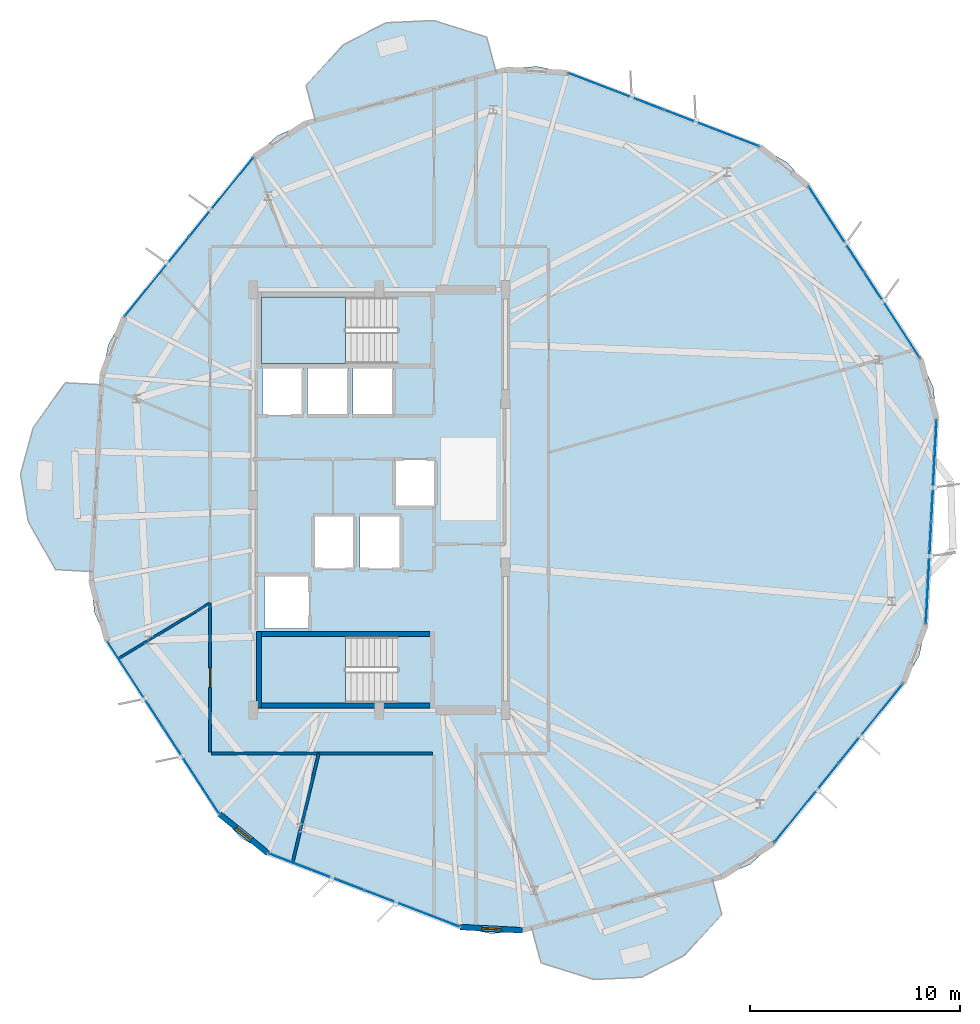
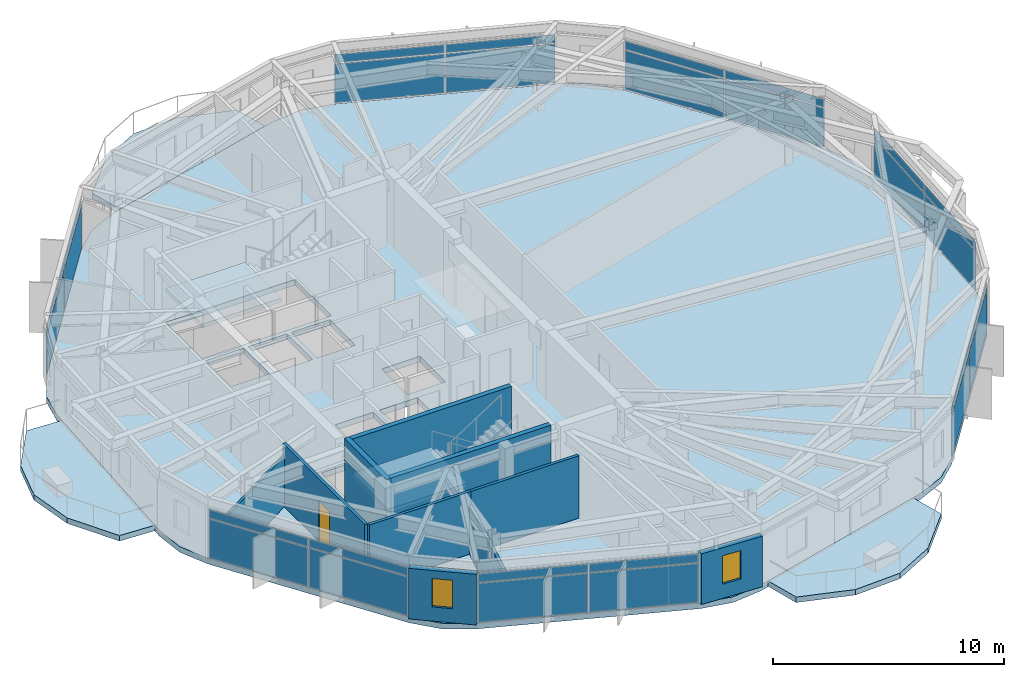
# One storey, part 23 of 29: 28 plates, 10 walls, 6 slabs, 2 windows, 1 door, 3 openings, 9 elements without a shape of their own.
"""IFC4 building model written with IfcOpenShell, lengths in metres."""

from ifc_helpers import new_model, si_unit, direction, frame, frame_2d, origin, origin_2d, place, context, subcontext, project, spatial, polyline, rectangle, outline, extrude, material, layer, layer_set, type_object, element, fill, aggregate, save


model = new_model("IFC4")

# Units and contexts
model_context = context("Model", 3, precision=1e-05, world=origin(), true_north=direction((0.0, 1.0)))
body_context = subcontext(model_context, "Body", "Model", "MODEL_VIEW")
ifc_project = project(units=[si_unit("LENGTHUNIT", "METRE"), si_unit("AREAUNIT", "SQUARE_METRE"), si_unit("VOLUMEUNIT", "CUBIC_METRE"), si_unit("PLANEANGLEUNIT", "RADIAN"), si_unit("MASSUNIT", "GRAM", prefix="KILO")], contexts=[model_context])

# Site, building, storey
site_placement = place(None, origin())
site = spatial("IfcSite", under=ifc_project, at=site_placement, CompositionType="ELEMENT")
building_placement = place(site_placement, origin())
building = spatial("IfcBuilding", under=site, at=building_placement, Name="Soratama Intermodal Tower", CompositionType="ELEMENT")
storey_placement = place(building_placement, frame((0.0, 0.0, 219.39990234375)))
storey = spatial("IfcBuildingStorey", under=building, at=storey_placement, Name="L55", CompositionType="ELEMENT", Elevation=219.39990234375)

# Curtain wall, plates
ifc_material_1 = material(Name="Double-glazed aluminium curtain wall", Category="aluminium")
ifc_layer_1 = layer(ifc_material_1, 0.159912109375)
ifc_layer_set_1 = layer_set([ifc_layer_1], Name="Double-glazed aluminium curtain wall")
curtain_wall_type = type_object("IfcCurtainWallType", Name="CW-SYS-5", PredefinedType="NOTDEFINED", material=ifc_layer_set_1)
curtain_wall_1_placement = place(storey_placement, origin())
curtain_wall_1 = element("IfcCurtainWall", 1, at=curtain_wall_1_placement, inside=storey, type_object=curtain_wall_type, Name="L55 Faceted Curtain Wall F01", PredefinedType="NOTDEFINED")
ifc_material_2 = material(Name="Low-E laminated double glazing", Category="glass")
ifc_layer_2 = layer(ifc_material_2, 0.02001953125)
ifc_layer_set_2 = layer_set([ifc_layer_2], Name="Low-E laminated double glazing")
plate_type = type_object("IfcPlateType", Name="PT-CWP-5", PredefinedType="CURTAIN_PANEL", material=ifc_layer_set_2)
plate_1_placement = place(storey_placement, frame((54.39599609375, 42.6845703125, 0.06005859375), z_axis=(0.0, 0.0, 1.0), x_axis=(-0.933583988978, 0.358358668826, 0.0)))
plate_1 = element("IfcPlate", 2, at=plate_1_placement, type_object=plate_type, Name="CW-5 panel 1.1", PredefinedType="CURTAIN_PANEL", context=body_context, shape_type="SweptSolid", body=[
    extrude(rectangle(XDim=4.808837890625, YDim=0.028076171875, at=origin_2d()), origin(), (0.0, 0.0, 1.0), 2.06005859375),
])
plate_2_placement = place(storey_placement, frame((54.39599609375, 42.6845703125, 2.18017578125), z_axis=(0.0, 0.0, 1.0), x_axis=(-0.933583988978, 0.358358668826, 0.0)))
plate_2 = element("IfcPlate", 3, at=plate_2_placement, type_object=plate_type, Name="CW-5 panel 1.2", PredefinedType="CURTAIN_PANEL", context=body_context, shape_type="SweptSolid", body=[
    extrude(rectangle(XDim=4.808837890625, YDim=0.028076171875, at=origin_2d()), origin(), (0.0, 0.0, 1.0), 0.43896484375),
])
plate_3_placement = place(storey_placement, frame((49.8505859375, 44.42919921875, 0.06005859375), z_axis=(0.0, 0.0, 1.0), x_axis=(-0.933583988978, 0.358358668826, 0.0)))
plate_3 = element("IfcPlate", 4, at=plate_3_placement, type_object=plate_type, Name="CW-5 panel 2.1", PredefinedType="CURTAIN_PANEL", context=body_context, shape_type="SweptSolid", body=[
    extrude(rectangle(XDim=4.808837890625, YDim=0.028076171875, at=origin_2d()), origin(), (0.0, 0.0, 1.0), 2.06005859375),
])
plate_4_placement = place(storey_placement, frame((49.8505859375, 44.42919921875, 2.18017578125), z_axis=(0.0, 0.0, 1.0), x_axis=(-0.933583988978, 0.358358668826, 0.0)))
plate_4 = element("IfcPlate", 5, at=plate_4_placement, type_object=plate_type, Name="CW-5 panel 2.2", PredefinedType="CURTAIN_PANEL", context=body_context, shape_type="SweptSolid", body=[
    extrude(rectangle(XDim=4.808837890625, YDim=0.028076171875, at=origin_2d()), origin(), (0.0, 0.0, 1.0), 0.43896484375),
])
aggregate(curtain_wall_1, [plate_1, plate_2, plate_3, plate_4])

curtain_wall_2_placement = place(storey_placement, origin())
curtain_wall_2 = element("IfcCurtainWall", 6, at=curtain_wall_2_placement, inside=storey, type_object=curtain_wall_type, Name="L55 Faceted Curtain Wall F03", PredefinedType="NOTDEFINED")
plate_5_placement = place(storey_placement, frame((31.084716796875, 39.40087890625, 0.06005859375), z_axis=(0.0, 0.0, 1.0), x_axis=(-0.629311849549, -0.777152878151, 0.0)))
plate_5 = element("IfcPlate", 7, at=plate_5_placement, type_object=plate_type, Name="CW-5 panel 1.1", PredefinedType="CURTAIN_PANEL", context=body_context, shape_type="SweptSolid", body=[
    extrude(rectangle(XDim=4.808837890625, YDim=0.028076171875, at=origin_2d()), origin(), (0.0, 0.0, 1.0), 2.06005859375),
])
plate_6_placement = place(storey_placement, frame((31.084716796875, 39.40087890625, 2.18017578125), z_axis=(0.0, 0.0, 1.0), x_axis=(-0.629311849549, -0.777152878151, 0.0)))
plate_6 = element("IfcPlate", 8, at=plate_6_placement, type_object=plate_type, Name="CW-5 panel 1.2", PredefinedType="CURTAIN_PANEL", context=body_context, shape_type="SweptSolid", body=[
    extrude(rectangle(XDim=4.808837890625, YDim=0.028076171875, at=origin_2d()), origin(), (0.0, 0.0, 1.0), 0.43896484375),
])
plate_7_placement = place(storey_placement, frame((28.0205078125, 35.6171875, 0.06005859375), z_axis=(0.0, 0.0, 1.0), x_axis=(-0.629311849549, -0.777152878151, 0.0)))
plate_7 = element("IfcPlate", 9, at=plate_7_placement, type_object=plate_type, Name="CW-5 panel 2.1", PredefinedType="CURTAIN_PANEL", context=body_context, shape_type="SweptSolid", body=[
    extrude(rectangle(XDim=4.808837890625, YDim=0.028076171875, at=origin_2d()), origin(), (0.0, 0.0, 1.0), 2.06005859375),
])
plate_8_placement = place(storey_placement, frame((28.0205078125, 35.6171875, 2.18017578125), z_axis=(0.0, 0.0, 1.0), x_axis=(-0.629311849549, -0.777152878151, 0.0)))
plate_8 = element("IfcPlate", 10, at=plate_8_placement, type_object=plate_type, Name="CW-5 panel 2.2", PredefinedType="CURTAIN_PANEL", context=body_context, shape_type="SweptSolid", body=[
    extrude(rectangle(XDim=4.808837890625, YDim=0.028076171875, at=origin_2d()), origin(), (0.0, 0.0, 1.0), 0.43896484375),
])
aggregate(curtain_wall_2, [plate_5, plate_6, plate_7, plate_8])

curtain_wall_3_placement = place(storey_placement, origin())
curtain_wall_3 = element("IfcCurtainWall", 11, at=curtain_wall_3_placement, inside=storey, type_object=curtain_wall_type, Name="L55 Faceted Curtain Wall F05", PredefinedType="NOTDEFINED")
plate_9_placement = place(storey_placement, frame((27.00390625, 16.2158203125, 0.06005859375), z_axis=(0.0, 0.0, 1.0), x_axis=(0.544640313342, -0.838669737789, 0.0)))
plate_9 = element("IfcPlate", 12, at=plate_9_placement, type_object=plate_type, Name="CW-5 panel 1.1", PredefinedType="CURTAIN_PANEL", context=body_context, shape_type="SweptSolid", body=[
    extrude(rectangle(XDim=4.808837890625, YDim=0.028076171875, at=origin_2d()), origin(), (0.0, 0.0, 1.0), 2.06005859375),
])
plate_10_placement = place(storey_placement, frame((27.00390625, 16.2158203125, 2.18017578125), z_axis=(0.0, 0.0, 1.0), x_axis=(0.544640313342, -0.838669737789, 0.0)))
plate_10 = element("IfcPlate", 13, at=plate_10_placement, type_object=plate_type, Name="CW-5 panel 1.2", PredefinedType="CURTAIN_PANEL", context=body_context, shape_type="SweptSolid", body=[
    extrude(rectangle(XDim=4.808837890625, YDim=0.028076171875, at=origin_2d()), origin(), (0.0, 0.0, 1.0), 0.43896484375),
])
plate_11_placement = place(storey_placement, frame((29.655517578125, 12.132568359375, 0.06005859375), z_axis=(0.0, 0.0, 1.0), x_axis=(0.544640313342, -0.838669737789, 0.0)))
plate_11 = element("IfcPlate", 14, at=plate_11_placement, type_object=plate_type, Name="CW-5 panel 2.1", PredefinedType="CURTAIN_PANEL", context=body_context, shape_type="SweptSolid", body=[
    extrude(rectangle(XDim=4.808837890625, YDim=0.028076171875, at=origin_2d()), origin(), (0.0, 0.0, 1.0), 2.06005859375),
])
plate_12_placement = place(storey_placement, frame((29.655517578125, 12.132568359375, 2.18017578125), z_axis=(0.0, 0.0, 1.0), x_axis=(0.544640313342, -0.838669737789, 0.0)))
plate_12 = element("IfcPlate", 15, at=plate_12_placement, type_object=plate_type, Name="CW-5 panel 2.2", PredefinedType="CURTAIN_PANEL", context=body_context, shape_type="SweptSolid", body=[
    extrude(rectangle(XDim=4.808837890625, YDim=0.028076171875, at=origin_2d()), origin(), (0.0, 0.0, 1.0), 0.43896484375),
])
aggregate(curtain_wall_3, [plate_9, plate_10, plate_11, plate_12])

curtain_wall_4_placement = place(storey_placement, origin())
curtain_wall_4 = element("IfcCurtainWall", 16, at=curtain_wall_4_placement, inside=storey, type_object=curtain_wall_type, Name="L55 Faceted Curtain Wall F06", PredefinedType="NOTDEFINED")
plate_13_placement = place(storey_placement, frame((35.60400390625, 7.3154296875, 0.06005859375), z_axis=(0.0, 0.0, 1.0), x_axis=(0.933583988978, -0.358358668826, 0.0)))
plate_13 = element("IfcPlate", 17, at=plate_13_placement, type_object=plate_type, Name="CW-5 panel 1.1", PredefinedType="CURTAIN_PANEL", context=body_context, shape_type="SweptSolid", body=[
    extrude(rectangle(XDim=4.808837890625, YDim=0.028076171875, at=origin_2d()), origin(), (0.0, 0.0, 1.0), 2.06005859375),
])
plate_14_placement = place(storey_placement, frame((35.60400390625, 7.3154296875, 2.18017578125), z_axis=(0.0, 0.0, 1.0), x_axis=(0.933583988978, -0.358358668826, 0.0)))
plate_14 = element("IfcPlate", 18, at=plate_14_placement, type_object=plate_type, Name="CW-5 panel 1.2", PredefinedType="CURTAIN_PANEL", context=body_context, shape_type="SweptSolid", body=[
    extrude(rectangle(XDim=4.808837890625, YDim=0.028076171875, at=origin_2d()), origin(), (0.0, 0.0, 1.0), 0.43896484375),
])
plate_15_placement = place(storey_placement, frame((40.1494140625, 5.57080078125, 0.06005859375), z_axis=(0.0, 0.0, 1.0), x_axis=(0.933583988978, -0.358358668826, 0.0)))
plate_15 = element("IfcPlate", 19, at=plate_15_placement, type_object=plate_type, Name="CW-5 panel 2.1", PredefinedType="CURTAIN_PANEL", context=body_context, shape_type="SweptSolid", body=[
    extrude(rectangle(XDim=4.808837890625, YDim=0.028076171875, at=origin_2d()), origin(), (0.0, 0.0, 1.0), 2.06005859375),
])
plate_16_placement = place(storey_placement, frame((40.1494140625, 5.57080078125, 2.18017578125), z_axis=(0.0, 0.0, 1.0), x_axis=(0.933583988978, -0.358358668826, 0.0)))
plate_16 = element("IfcPlate", 20, at=plate_16_placement, type_object=plate_type, Name="CW-5 panel 2.2", PredefinedType="CURTAIN_PANEL", context=body_context, shape_type="SweptSolid", body=[
    extrude(rectangle(XDim=4.808837890625, YDim=0.028076171875, at=origin_2d()), origin(), (0.0, 0.0, 1.0), 0.43896484375),
])
aggregate(curtain_wall_4, [plate_13, plate_14, plate_15, plate_16])

curtain_wall_5_placement = place(storey_placement, origin())
curtain_wall_5 = element("IfcCurtainWall", 21, at=curtain_wall_5_placement, inside=storey, type_object=curtain_wall_type, Name="L55 Faceted Curtain Wall F08", PredefinedType="NOTDEFINED")
plate_17_placement = place(storey_placement, frame((58.915283203125, 10.59912109375, 0.06005859375), z_axis=(0.0, 0.0, 1.0), x_axis=(0.629311849549, 0.777152878151, 0.0)))
plate_17 = element("IfcPlate", 22, at=plate_17_placement, type_object=plate_type, Name="CW-5 panel 1.1", PredefinedType="CURTAIN_PANEL", context=body_context, shape_type="SweptSolid", body=[
    extrude(rectangle(XDim=4.808837890625, YDim=0.028076171875, at=origin_2d()), origin(), (0.0, 0.0, 1.0), 2.06005859375),
])
plate_18_placement = place(storey_placement, frame((58.915283203125, 10.59912109375, 2.18017578125), z_axis=(0.0, 0.0, 1.0), x_axis=(0.629311849549, 0.777152878151, 0.0)))
plate_18 = element("IfcPlate", 23, at=plate_18_placement, type_object=plate_type, Name="CW-5 panel 1.2", PredefinedType="CURTAIN_PANEL", context=body_context, shape_type="SweptSolid", body=[
    extrude(rectangle(XDim=4.808837890625, YDim=0.028076171875, at=origin_2d()), origin(), (0.0, 0.0, 1.0), 0.43896484375),
])
plate_19_placement = place(storey_placement, frame((61.9794921875, 14.3828125, 0.06005859375), z_axis=(0.0, 0.0, 1.0), x_axis=(0.629311849549, 0.777152878151, 0.0)))
plate_19 = element("IfcPlate", 24, at=plate_19_placement, type_object=plate_type, Name="CW-5 panel 2.1", PredefinedType="CURTAIN_PANEL", context=body_context, shape_type="SweptSolid", body=[
    extrude(rectangle(XDim=4.808837890625, YDim=0.028076171875, at=origin_2d()), origin(), (0.0, 0.0, 1.0), 2.06005859375),
])
plate_20_placement = place(storey_placement, frame((61.9794921875, 14.3828125, 2.18017578125), z_axis=(0.0, 0.0, 1.0), x_axis=(0.629311849549, 0.777152878151, 0.0)))
plate_20 = element("IfcPlate", 25, at=plate_20_placement, type_object=plate_type, Name="CW-5 panel 2.2", PredefinedType="CURTAIN_PANEL", context=body_context, shape_type="SweptSolid", body=[
    extrude(rectangle(XDim=4.808837890625, YDim=0.028076171875, at=origin_2d()), origin(), (0.0, 0.0, 1.0), 0.43896484375),
])
aggregate(curtain_wall_5, [plate_17, plate_18, plate_19, plate_20])

curtain_wall_6_placement = place(storey_placement, origin())
curtain_wall_6 = element("IfcCurtainWall", 26, at=curtain_wall_6_placement, inside=storey, type_object=curtain_wall_type, Name="L55 Faceted Curtain Wall F09", PredefinedType="NOTDEFINED")
plate_21_placement = place(storey_placement, frame((64.722412109375, 21.528564453125, 0.06005859375), z_axis=(0.0, 0.0, 1.0), x_axis=(0.052329015046, 0.998629898503, 0.0)))
plate_21 = element("IfcPlate", 27, at=plate_21_placement, type_object=plate_type, Name="CW-5 panel 1.1", PredefinedType="CURTAIN_PANEL", context=body_context, shape_type="SweptSolid", body=[
    extrude(rectangle(XDim=4.808837890625, YDim=0.028076171875, at=origin_2d()), origin(), (0.0, 0.0, 1.0), 2.06005859375),
])
plate_22_placement = place(storey_placement, frame((64.722412109375, 21.528564453125, 2.18017578125), z_axis=(0.0, 0.0, 1.0), x_axis=(0.052329015046, 0.998629898503, 0.0)))
plate_22 = element("IfcPlate", 28, at=plate_22_placement, type_object=plate_type, Name="CW-5 panel 1.2", PredefinedType="CURTAIN_PANEL", context=body_context, shape_type="SweptSolid", body=[
    extrude(rectangle(XDim=4.808837890625, YDim=0.028076171875, at=origin_2d()), origin(), (0.0, 0.0, 1.0), 0.43896484375),
])
plate_23_placement = place(storey_placement, frame((64.977294921875, 26.390869140625, 0.06005859375), z_axis=(0.0, 0.0, 1.0), x_axis=(0.052329015046, 0.998629898503, 0.0)))
plate_23 = element("IfcPlate", 29, at=plate_23_placement, type_object=plate_type, Name="CW-5 panel 2.1", PredefinedType="CURTAIN_PANEL", context=body_context, shape_type="SweptSolid", body=[
    extrude(rectangle(XDim=4.808837890625, YDim=0.028076171875, at=origin_2d()), origin(), (0.0, 0.0, 1.0), 2.06005859375),
])
plate_24_placement = place(storey_placement, frame((64.977294921875, 26.390869140625, 2.18017578125), z_axis=(0.0, 0.0, 1.0), x_axis=(0.052329015046, 0.998629898503, 0.0)))
plate_24 = element("IfcPlate", 30, at=plate_24_placement, type_object=plate_type, Name="CW-5 panel 2.2", PredefinedType="CURTAIN_PANEL", context=body_context, shape_type="SweptSolid", body=[
    extrude(rectangle(XDim=4.808837890625, YDim=0.028076171875, at=origin_2d()), origin(), (0.0, 0.0, 1.0), 0.43896484375),
])
aggregate(curtain_wall_6, [plate_21, plate_22, plate_23, plate_24])

curtain_wall_7_placement = place(storey_placement, origin())
curtain_wall_7 = element("IfcCurtainWall", 31, at=curtain_wall_7_placement, inside=storey, type_object=curtain_wall_type, Name="L55 Faceted Curtain Wall F10", PredefinedType="NOTDEFINED")
plate_25_placement = place(storey_placement, frame((62.99609375, 33.7841796875, 0.06005859375), z_axis=(0.0, 0.0, 1.0), x_axis=(-0.544640313342, 0.838669737789, 0.0)))
plate_25 = element("IfcPlate", 32, at=plate_25_placement, type_object=plate_type, Name="CW-5 panel 1.1", PredefinedType="CURTAIN_PANEL", context=body_context, shape_type="SweptSolid", body=[
    extrude(rectangle(XDim=4.808837890625, YDim=0.028076171875, at=origin_2d()), origin(), (0.0, 0.0, 1.0), 2.06005859375),
])
plate_26_placement = place(storey_placement, frame((62.99609375, 33.7841796875, 2.18017578125), z_axis=(0.0, 0.0, 1.0), x_axis=(-0.544640313342, 0.838669737789, 0.0)))
plate_26 = element("IfcPlate", 33, at=plate_26_placement, type_object=plate_type, Name="CW-5 panel 1.2", PredefinedType="CURTAIN_PANEL", context=body_context, shape_type="SweptSolid", body=[
    extrude(rectangle(XDim=4.808837890625, YDim=0.028076171875, at=origin_2d()), origin(), (0.0, 0.0, 1.0), 0.43896484375),
])
plate_27_placement = place(storey_placement, frame((60.344482421875, 37.867431640625, 0.06005859375), z_axis=(0.0, 0.0, 1.0), x_axis=(-0.544640313342, 0.838669737789, 0.0)))
plate_27 = element("IfcPlate", 34, at=plate_27_placement, type_object=plate_type, Name="CW-5 panel 2.1", PredefinedType="CURTAIN_PANEL", context=body_context, shape_type="SweptSolid", body=[
    extrude(rectangle(XDim=4.808837890625, YDim=0.028076171875, at=origin_2d()), origin(), (0.0, 0.0, 1.0), 2.06005859375),
])
plate_28_placement = place(storey_placement, frame((60.344482421875, 37.867431640625, 2.18017578125), z_axis=(0.0, 0.0, 1.0), x_axis=(-0.544640313342, 0.838669737789, 0.0)))
plate_28 = element("IfcPlate", 35, at=plate_28_placement, type_object=plate_type, Name="CW-5 panel 2.2", PredefinedType="CURTAIN_PANEL", context=body_context, shape_type="SweptSolid", body=[
    extrude(rectangle(XDim=4.808837890625, YDim=0.028076171875, at=origin_2d()), origin(), (0.0, 0.0, 1.0), 0.43896484375),
])
aggregate(curtain_wall_7, [plate_25, plate_26, plate_27, plate_28])

# Slabs
ifc_material_3 = material(Name="Concrete f'c 42 MPa", Category="concrete")
ifc_layer_3 = layer(ifc_material_3, 0.2900390625)
ifc_layer_set_3 = layer_set([ifc_layer_3], Name="Concrete f'c 42 MPa")
slab_type_1 = type_object("IfcSlabType", Name="SL-EXT-BAL2", PredefinedType="FLOOR", material=ifc_layer_set_3)
slab_1_placement = place(storey_placement, frame((0.0, 0.0, -0.289794921875)))
element("IfcSlab", 36, at=slab_1_placement, inside=storey, type_object=slab_type_1, Name="L55 Planted Balcony North 1", PredefinedType="FLOOR", context=body_context, shape_type="SweptSolid", body=[
    extrude(outline(polyline([(44.152587890625, 45.351318359375), (35.55810546875, 43.04833984375), (35.113037109375, 44.709716796875), (36.895263671875, 46.65234375), (38.91845703125, 47.696533203125), (41.192626953125, 47.803955078125), (43.70751953125, 47.0126953125), (44.152587890625, 45.351318359375)])), origin(), (0.0, 0.0, 1.0), 0.289794921875),
])
slab_2_placement = place(storey_placement, frame((0.0, 0.0, -0.289794921875)))
element("IfcSlab", 37, at=slab_2_placement, inside=storey, type_object=slab_type_1, Name="L55 Planted Balcony West 2", PredefinedType="FLOOR", context=body_context, shape_type="SweptSolid", body=[
    extrude(outline(polyline([(25.383056640625, 30.48291015625), (24.917236328125, 21.59765625), (23.19970703125, 21.6875), (21.90283203125, 23.98291015625), (21.53515625, 26.229736328125), (22.1357421875, 28.42578125), (23.665283203125, 30.572998046875), (25.383056640625, 30.48291015625)])), origin(), (0.0, 0.0, 1.0), 0.289794921875),
])
slab_3_placement = place(storey_placement, frame((0.0, 0.0, -0.289794921875)))
element("IfcSlab", 38, at=slab_3_placement, inside=storey, type_object=slab_type_1, Name="L55 Planted Balcony South 3", PredefinedType="FLOOR", context=body_context, shape_type="SweptSolid", body=[
    extrude(outline(polyline([(45.847412109375, 4.648681640625), (54.44189453125, 6.95166015625), (54.886962890625, 5.290283203125), (53.104736328125, 3.34765625), (51.08154296875, 2.303466796875), (48.807373046875, 2.196044921875), (46.29248046875, 2.9873046875), (45.847412109375, 4.648681640625)])), origin(), (0.0, 0.0, 1.0), 0.289794921875),
])

# Stair, slab
ifc_material_4 = material(Name="Concrete f'c 42 MPa", Category="concrete")
stair_type = type_object("IfcStairType", Name="ST-CORE-DOGLEG", PredefinedType="HALF_TURN_STAIR", material=ifc_material_4)
stair_1_placement = place(storey_placement, origin())
stair_1 = element("IfcStair", 39, at=stair_1_placement, inside=storey, type_object=stair_type, Name="L55 ST-1", PredefinedType="HALF_TURN_STAIR")
ifc_material_5 = material(Name="Concrete f'c 42 MPa", Category="concrete")
ifc_layer_4 = layer(ifc_material_5, 0.219970703125)
ifc_layer_set_4 = layer_set([ifc_layer_4], Name="Concrete f'c 42 MPa")
slab_type_2 = type_object("IfcSlabType", Name="SL-STAIR-LAND", PredefinedType="LANDING", material=ifc_layer_set_4)
slab_4_placement = place(storey_placement, frame((0.0, 0.0, 1.60009765625)))
slab_4 = element("IfcSlab", 40, at=slab_4_placement, type_object=slab_type_2, Name="ST-1 landing 1", PredefinedType="LANDING", context=body_context, shape_type="SweptSolid", body=[
    extrude(outline(polyline([(36.97998046875, 18.5), (33.0, 18.5), (33.0, 15.35009765625), (36.97998046875, 15.35009765625), (36.97998046875, 18.5)])), origin(), (0.0, 0.0, 1.0), 0.199951171875),
])
aggregate(stair_1, [slab_4])

stair_2_placement = place(storey_placement, origin())
stair_2 = element("IfcStair", 41, at=stair_2_placement, inside=storey, type_object=stair_type, Name="L55 ST-2", PredefinedType="HALF_TURN_STAIR")
slab_5_placement = place(storey_placement, frame((0.0, 0.0, 1.60009765625)))
slab_5 = element("IfcSlab", 42, at=slab_5_placement, type_object=slab_type_2, Name="ST-2 landing 1", PredefinedType="LANDING", context=body_context, shape_type="SweptSolid", body=[
    extrude(outline(polyline([(36.97998046875, 34.64990234375), (33.0, 34.64990234375), (33.0, 31.5), (36.97998046875, 31.5), (36.97998046875, 34.64990234375)])), origin(), (0.0, 0.0, 1.0), 0.199951171875),
])
aggregate(stair_2, [slab_5])

# Slab
ifc_material_6 = material(Name="Concrete f'c 42 MPa", Category="concrete")
ifc_layer_5 = layer(ifc_material_6, 0.280029296875)
ifc_layer_set_5 = layer_set([ifc_layer_5], Name="Concrete f'c 42 MPa")
slab_type_3 = type_object("IfcSlabType", Name="SL-TWR-280", PredefinedType="FLOOR", material=ifc_layer_set_5)
slab_6_placement = place(storey_placement, frame((0.0, 0.0, -0.2998046875)))
element("IfcSlab", 43, at=slab_6_placement, inside=storey, type_object=slab_type_3, Name="L55 Structural Floor Slab", PredefinedType="FLOOR", context=body_context, shape_type="SweptSolid", body=[
    extrude(outline(polyline([(59.002197265625, 39.934326171875), (57.997314453125, 41.05029296875), (56.69677734375, 41.80126953125), (47.5498046875, 45.3125), (46.080810546875, 45.624755859375), (44.58740234375, 45.4677734375), (35.12353515625, 42.931884765625), (33.751708984375, 42.321044921875), (32.635498046875, 41.316162109375), (26.4697265625, 33.701904296875), (25.71875, 32.4013671875), (25.406494140625, 30.932373046875), (24.893798828125, 21.148193359375), (25.05078125, 19.654541015625), (25.66162109375, 18.28271484375), (30.997802734375, 10.065673828125), (32.002685546875, 8.94970703125), (33.30322265625, 8.19873046875), (42.4501953125, 4.6875), (43.919189453125, 4.375244140625), (45.41259765625, 4.5322265625), (54.87646484375, 7.068115234375), (56.248291015625, 7.678955078125), (57.364501953125, 8.683837890625), (63.5302734375, 16.298095703125), (64.28125, 17.5986328125), (64.593505859375, 19.067626953125), (65.106201171875, 28.851806640625), (64.94921875, 30.345458984375), (64.33837890625, 31.71728515625), (59.002197265625, 39.934326171875)]), holes=[polyline([(33.0, 18.5), (33.0, 15.35009765625), (39.47509765625, 15.35009765625), (39.47509765625, 18.5), (33.0, 18.5)]), polyline([(35.260009765625, 21.409912109375), (33.139892578125, 21.409912109375), (33.139892578125, 18.889892578125), (35.260009765625, 18.889892578125), (35.260009765625, 21.409912109375)]), polyline([(37.409912109375, 24.260009765625), (35.489990234375, 24.260009765625), (35.489990234375, 21.739990234375), (37.409912109375, 21.739990234375), (37.409912109375, 24.260009765625)]), polyline([(39.610107421875, 24.260009765625), (37.68994140625, 24.260009765625), (37.68994140625, 21.739990234375), (39.610107421875, 21.739990234375), (39.610107421875, 24.260009765625)]), polyline([(41.260009765625, 26.909912109375), (39.340087890625, 26.909912109375), (39.340087890625, 24.68994140625), (41.260009765625, 24.68994140625), (41.260009765625, 26.909912109375)]), polyline([(34.9599609375, 31.260009765625), (33.0400390625, 31.260009765625), (33.0400390625, 29.0400390625), (34.9599609375, 29.0400390625), (34.9599609375, 31.260009765625)]), polyline([(37.110107421875, 31.260009765625), (35.18994140625, 31.260009765625), (35.18994140625, 29.0400390625), (37.110107421875, 29.0400390625), (37.110107421875, 31.260009765625)]), polyline([(39.260009765625, 29.0400390625), (39.260009765625, 31.260009765625), (37.340087890625, 31.260009765625), (37.340087890625, 29.0400390625), (39.260009765625, 29.0400390625)]), polyline([(39.47509765625, 34.64990234375), (33.0, 34.64990234375), (33.0, 31.5), (39.47509765625, 31.5), (39.47509765625, 34.64990234375)])]), origin(), (0.0, 0.0, 1.0), 0.2998046875),
])

# Wall, opening, window
ifc_material_7 = material(Name="Concrete f'c 42 MPa", Category="concrete")
ifc_layer_6 = layer(ifc_material_7, 0.27001953125)
ifc_layer_set_6 = layer_set([ifc_layer_6], Name="Concrete f'c 42 MPa")
wall_type_1 = type_object("IfcWallType", Name="EW-CRN-270", PredefinedType="SOLIDWALL", material=ifc_layer_set_6)
wall_1_placement = place(storey_placement, frame((30.997802734375, 10.065673828125, 0.0), z_axis=(0.0, 0.0, 1.0), x_axis=(0.777137534132, -0.629330797787, 0.0)))
wall_1 = element("IfcWall", 44, at=wall_1_placement, inside=storey, type_object=wall_type_1, Name="L55 Corner Closure Wall 05", PredefinedType="SOLIDWALL", context=body_context, shape_type="SweptSolid", body=[
    extrude(rectangle(XDim=2.966552734375, YDim=0.27001953125, at=frame_2d((1.4833984375, 0.0))), origin(), (0.0, 0.0, 1.0), 2.67919921875),
])
opening_1_placement = place(wall_1_placement, frame((1.033203125, 0.0, 0.75)))
opening_1 = element("IfcOpeningElement", 45, at=opening_1_placement, cuts=wall_1, Name="Opening WN-6", PredefinedType="OPENING", context=body_context, shape_type="SweptSolid", body=[
    extrude(rectangle(XDim=0.89990234375, YDim=1.5, at=frame_2d((0.449951171875, 0.75))), frame((0.0, 0.14501953125, 0.0), z_axis=(0.0, -1.0, 0.0), x_axis=(1.0, 0.0, 0.0)), (0.0, 0.0, 1.0), 0.2900390625),
])
ifc_material_8 = material(Name="Double-glazed aluminium window", Category="aluminium")
window_type = type_object("IfcWindowType", Name="WN-FAC-900", PartitioningType="SINGLE_PANEL", PredefinedType="WINDOW", material=ifc_material_8)
window_1_placement = place(opening_1_placement, origin())
window_1 = element("IfcWindow", 46, at=window_1_placement, inside=storey, type_object=window_type, Name="L55 Corner Window 05", OverallHeight=1.5, OverallWidth=0.89990234375, PartitioningType="SINGLE_PANEL", PredefinedType="WINDOW", context=body_context, shape_type="SweptSolid", body=[
    extrude(rectangle(XDim=0.89990234375, YDim=1.5, at=frame_2d((0.449951171875, 0.75))), frame((0.0, 0.030029296875, 0.0), z_axis=(0.0, -1.0, 0.0), x_axis=(1.0, 0.0, 0.0)), (0.0, 0.0, 1.0), 0.06005859375),
])
fill(opening_1, window_1)

wall_2_placement = place(storey_placement, frame((42.4501953125, 4.6875, 0.0), z_axis=(0.0, 0.0, 1.0), x_axis=(0.998629173391, -0.05234285102, 0.0)))
wall_2 = element("IfcWall", 47, at=wall_2_placement, inside=storey, type_object=wall_type_1, Name="L55 Corner Closure Wall 06", PredefinedType="SOLIDWALL", context=body_context, shape_type="SweptSolid", body=[
    extrude(rectangle(XDim=2.966552734375, YDim=0.27001953125, at=frame_2d((1.4833984375, 0.0))), origin(), (0.0, 0.0, 1.0), 2.67919921875),
])
opening_2_placement = place(wall_2_placement, frame((1.033203125, 0.0, 0.75)))
opening_2 = element("IfcOpeningElement", 48, at=opening_2_placement, cuts=wall_2, Name="Opening WN-6", PredefinedType="OPENING", context=body_context, shape_type="SweptSolid", body=[
    extrude(rectangle(XDim=0.89990234375, YDim=1.5, at=frame_2d((0.449951171875, 0.75))), frame((0.0, 0.14501953125, 0.0), z_axis=(0.0, -1.0, 0.0), x_axis=(1.0, 0.0, 0.0)), (0.0, 0.0, 1.0), 0.2900390625),
])
window_2_placement = place(opening_2_placement, origin())
window_2 = element("IfcWindow", 49, at=window_2_placement, inside=storey, type_object=window_type, Name="L55 Corner Window 06", OverallHeight=1.5, OverallWidth=0.89990234375, PartitioningType="SINGLE_PANEL", PredefinedType="WINDOW", context=body_context, shape_type="SweptSolid", body=[
    extrude(rectangle(XDim=0.89990234375, YDim=1.5, at=frame_2d((0.449951171875, 0.75))), frame((0.0, 0.030029296875, 0.0), z_axis=(0.0, -1.0, 0.0), x_axis=(1.0, 0.0, 0.0)), (0.0, 0.0, 1.0), 0.06005859375),
])
fill(opening_2, window_2)

# Wall, opening, door
ifc_material_9 = material(Name="Fire-rated gypsum stud partition", Category="concrete")
ifc_layer_7 = layer(ifc_material_9, 0.14990234375)
ifc_layer_set_7 = layer_set([ifc_layer_7], Name="Fire-rated gypsum stud partition")
wall_type_2 = type_object("IfcWallType", Name="IW-PART-R150", PredefinedType="PARTITIONING", material=ifc_layer_set_7)
wall_3_placement = place(storey_placement, frame((30.550048828125, 13.02001953125, 0.0), z_axis=(0.0, 0.0, 1.0), x_axis=(0.0, 1.0, 0.0)))
wall_3 = element("IfcWall", 50, at=wall_3_placement, inside=storey, type_object=wall_type_2, Name="L55 Partition W-L55-TP009", PredefinedType="PARTITIONING", context=body_context, shape_type="SweptSolid", body=[
    extrude(rectangle(XDim=7.0859375, YDim=0.14990234375, at=frame_2d((3.54296875, 0.0))), origin(), (0.0, 0.0, 1.0), 3.300048828125),
])
opening_3_placement = place(wall_3_placement, frame((3.068115234375, 0.0, 0.0)))
opening_3 = element("IfcOpeningElement", 51, at=opening_3_placement, cuts=wall_3, Name="Opening ID-6", PredefinedType="OPENING", context=body_context, shape_type="SweptSolid", body=[
    extrude(rectangle(XDim=0.919921875, YDim=2.1201171875, at=frame_2d((0.4599609375, 1.06005859375))), frame((0.0, 0.0849609375, 0.0), z_axis=(0.0, -1.0, 0.0), x_axis=(1.0, 0.0, 0.0)), (0.0, 0.0, 1.0), 0.169921875),
])
ifc_material_10 = material(Name="Solid hardwood acoustic door", Category="wood")
door_type = type_object("IfcDoorType", Name="DR-ROOM-920", OperationType="NOTDEFINED", PredefinedType="DOOR", material=ifc_material_10)
door_placement = place(opening_3_placement, origin())
door = element("IfcDoor", 52, at=door_placement, inside=storey, type_object=door_type, Name="L55 Door D-L55-TP006", OperationType="SINGLE_SWING_LEFT", OverallHeight=2.1201171875, OverallWidth=0.919921875, PredefinedType="DOOR", context=body_context, shape_type="SweptSolid", body=[
    extrude(rectangle(XDim=0.919921875, YDim=2.1201171875, at=frame_2d((0.4599609375, 1.06005859375))), frame((0.0, 0.02490234375, 0.0), z_axis=(0.0, -1.0, 0.0), x_axis=(1.0, 0.0, 0.0)), (0.0, 0.0, 1.0), 0.050048828125),
])
fill(opening_3, door)

# Walls
wall_4_placement = place(storey_placement, frame((41.1298828125, 12.949951171875, 0.0), z_axis=(0.0, 0.0, 1.0), x_axis=(-1.0, 0.0, 0.0)))
element("IfcWall", 53, at=wall_4_placement, inside=storey, type_object=wall_type_2, Name="L55 Partition W-L55-TP013", PredefinedType="PARTITIONING", context=body_context, shape_type="SweptSolid", body=[
    extrude(rectangle(XDim=5.410888671875, YDim=0.14990234375, at=frame_2d((2.70556640625, 0.0))), origin(), (0.0, 0.0, 1.0), 3.300048828125),
])
wall_5_placement = place(storey_placement, frame((35.718994140625, 12.949951171875, 0.0), z_axis=(0.0, 0.0, 1.0), x_axis=(-1.0, 0.0, 0.0)))
element("IfcWall", 54, at=wall_5_placement, inside=storey, type_object=wall_type_2, Name="L55 Partition W-L55-TP015", PredefinedType="PARTITIONING", context=body_context, shape_type="SweptSolid", body=[
    extrude(rectangle(XDim=5.098876953125, YDim=0.14990234375, at=frame_2d((2.54931640625, 0.0))), origin(), (0.0, 0.0, 1.0), 3.300048828125),
])
ifc_material_11 = material(Name="Fire-rated gypsum stud partition", Category="concrete")
ifc_layer_8 = layer(ifc_material_11, 0.1201171875)
ifc_layer_set_8 = layer_set([ifc_layer_8], Name="Fire-rated gypsum stud partition")
wall_type_3 = type_object("IfcWallType", Name="IW-PART-S120", PredefinedType="PARTITIONING", material=ifc_layer_set_8)
wall_6_placement = place(storey_placement, frame((30.550048828125, 20.10595703125, 0.0), z_axis=(0.0, 0.0, 1.0), x_axis=(-0.854485244393, -0.519475665566, 0.0)))
element("IfcWall", 55, at=wall_6_placement, inside=storey, type_object=wall_type_3, Name="L55 Partition W-L55-TP016", PredefinedType="PARTITIONING", context=body_context, shape_type="SweptSolid", body=[
    extrude(rectangle(XDim=5.095458984375, YDim=0.1201171875, at=frame_2d((2.5478515625, 0.0))), origin(), (0.0, 0.0, 1.0), 2.677978515625),
])
ifc_material_12 = material(Name="Fire-rated gypsum stud partition", Category="concrete")
ifc_layer_9 = layer(ifc_material_12, 0.139892578125)
ifc_layer_set_9 = layer_set([ifc_layer_9], Name="Fire-rated gypsum stud partition")
wall_type_4 = type_object("IfcWallType", Name="IW-PART-S140", PredefinedType="PARTITIONING", material=ifc_layer_set_9)
wall_7_placement = place(storey_placement, frame((35.718994140625, 12.949951171875, 0.0), z_axis=(0.0, 0.0, 1.0), x_axis=(-0.232607948604, -0.972570584712, 0.0)))
element("IfcWall", 56, at=wall_7_placement, inside=storey, type_object=wall_type_4, Name="L55 Partition W-L55-TP014", PredefinedType="PARTITIONING", context=body_context, shape_type="SweptSolid", body=[
    extrude(rectangle(XDim=5.34765625, YDim=0.139892578125, at=frame_2d((2.673828125, 0.0))), origin(), (0.0, 0.0, 1.0), 2.59521484375),
])
ifc_material_13 = material(Name="Concrete f'c 56 MPa", Category="concrete")
ifc_layer_10 = layer(ifc_material_13, 0.239990234375)
ifc_layer_set_10 = layer_set([ifc_layer_10], Name="Concrete f'c 56 MPa")
wall_type_5 = type_object("IfcWallType", Name="SW-STAIR-240", PredefinedType="SHEAR", material=ifc_layer_set_10)
wall_8_placement = place(storey_placement, frame((32.8798828125, 15.110107421875, 0.0), z_axis=(0.0, 0.0, 1.0), x_axis=(0.0, 1.0, 0.0)))
element("IfcWall", 57, at=wall_8_placement, inside=storey, type_object=wall_type_5, Name="L55 ST-1 Shaft Shear Wall W", PredefinedType="SHEAR", context=body_context, shape_type="SweptSolid", body=[
    extrude(rectangle(XDim=3.6298828125, YDim=0.239990234375, at=frame_2d((1.81494140625, 0.0))), origin(), (0.0, 0.0, 1.0), 3.60009765625),
])
for number, where, z_axis, x_axis, name in (
    (58, (33.0, 15.22998046875, 0.0), (0.0, 0.0, 1.0), (1.0, 0.0, 0.0), "L55 ST-1 Shaft Shear Wall S"),
    (59, (33.0, 18.6201171875, 0.0), (0.0, 0.0, 1.0), (1.0, 0.0, 0.0), "L55 ST-1 Shaft Shear Wall N"),
):
    element("IfcWall", number, at=place(storey_placement, frame(where, z_axis=z_axis, x_axis=x_axis)), inside=storey, type_object=wall_type_5, Name=name, PredefinedType="SHEAR", context=body_context, shape_type="SweptSolid", body=[
        extrude(rectangle(XDim=8.0, YDim=0.239990234375, at=frame_2d((4.0, 0.0))), origin(), (0.0, 0.0, 1.0), 3.60009765625),
    ])

save(model, "model.ifc")
